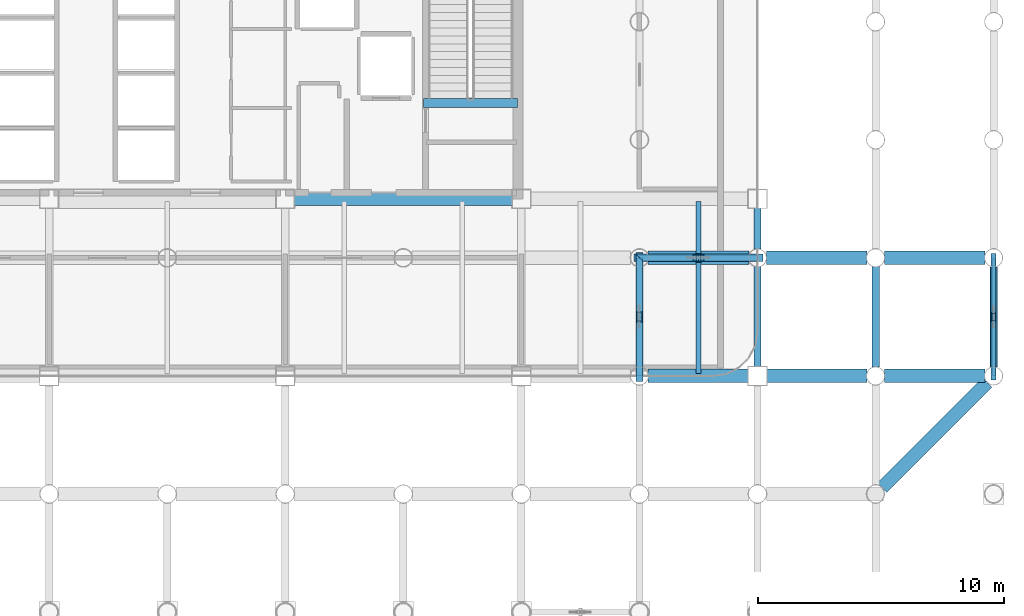
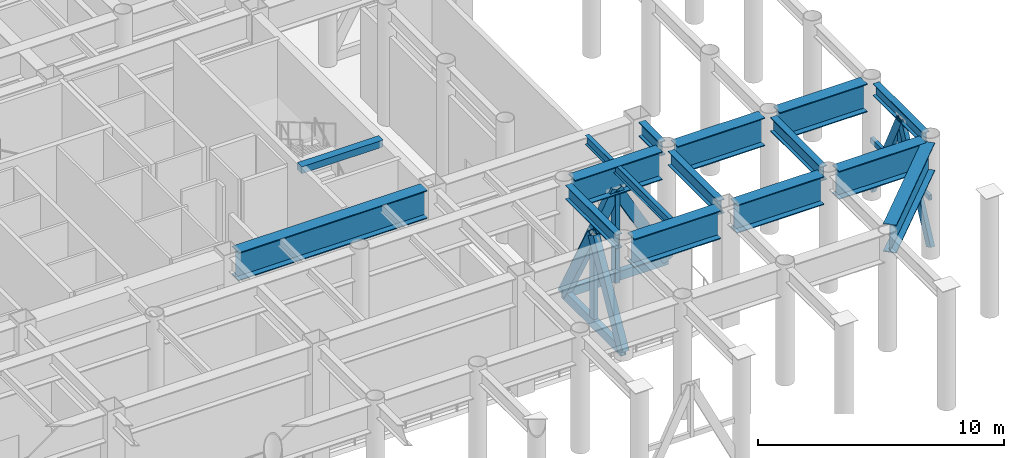
# One storey, part 6 of 19: 15 beams, 12 members.
"""IFC4 building model written with IfcOpenShell, lengths in metres."""

import ifcopenshell
import ifcopenshell.guid

model = None  # the IFC model being written
_history = None  # IfcOwnerHistory: only IFC2X3 demands one
_inside = {}  # id of a spatial element -> (the spatial element, [elements in it])
_under = {}  # id of a project, library or spatial element -> (it, [spatial elements below it])
_declared = {}  # id of a project -> (the project, [libraries it declares])
_typed = {}  # id of a type object -> (the type object, [elements of that type])
_made_of = {}  # id of a material, layer set ... -> (it, [elements and type objects made of it])


def new_model(schema):
    """Start an empty IFC model of exactly this schema.

    Asked for "IFC4X3", IfcOpenShell would pick the latest addendum, in which some entities
    have other attributes; the version numbers below select the first issue.
    IFC2X3 requires an IfcOwnerHistory on every rooted entity: one is made here for all.
    """
    global model, _history
    if schema == "IFC4X3":
        model = ifcopenshell.file(schema_version=(4, 3, 0, 0))
    else:
        model = ifcopenshell.file(schema=schema)
    _inside.clear()
    _under.clear()
    _declared.clear()
    _typed.clear()
    _made_of.clear()
    _history = None
    if model.schema == "IFC2X3":
        org = make("IfcOrganization", Name="unknown")
        user = make(
            "IfcPersonAndOrganization",
            ThePerson=make("IfcPerson", FamilyName="unknown"),
            TheOrganization=org,
        )
        app = make(
            "IfcApplication",
            ApplicationDeveloper=org,
            Version="unknown",
            ApplicationFullName="unknown",
            ApplicationIdentifier="unknown",
        )
        _history = make(
            "IfcOwnerHistory",
            OwningUser=user,
            OwningApplication=app,
            ChangeAction="ADDED",
            CreationDate=0,
        )
    return model


def make(cls, **values):
    """One entity of the class cls with the attributes given. An attribute that is None is left unset."""
    return model.create_entity(
        cls, **{name: value for name, value in values.items() if value is not None}
    )


def rooted(cls, **values):
    """An entity with a GlobalId (a new one), such as an element, a storey or a relation."""
    return make(cls, GlobalId=ifcopenshell.guid.new(), OwnerHistory=_history, **values)


def si_unit(unit_type, name, prefix=None):
    """IfcSIUnit, for example si_unit("LENGTHUNIT", "METRE", prefix="MILLI")."""
    return make("IfcSIUnit", UnitType=unit_type, Prefix=prefix, Name=name)


def assignment(units):
    """IfcUnitAssignment: the units of a project."""
    return None if units is None else make("IfcUnitAssignment", Units=units)


def point(xyz):
    """IfcCartesianPoint."""
    return None if xyz is None else make("IfcCartesianPoint", Coordinates=xyz)


def direction(xyz):
    """IfcDirection."""
    return None if xyz is None else make("IfcDirection", DirectionRatios=xyz)


def frame(location, z_axis=None, x_axis=None):
    """IfcAxis2Placement3D, a coordinate frame: its origin and axes. An axis left out is left unset."""
    return make(
        "IfcAxis2Placement3D",
        Location=point(location),
        Axis=direction(z_axis),
        RefDirection=direction(x_axis),
    )


def frame_2d(location, x_axis=None):
    """IfcAxis2Placement2D, a coordinate frame in the plane: its origin and x axis."""
    return make(
        "IfcAxis2Placement2D", Location=point(location), RefDirection=direction(x_axis)
    )


def origin():
    """The frame at (0, 0, 0) with its axes left unset."""
    return frame((0.0, 0.0, 0.0))


def origin_2d():
    """The frame at (0, 0) in the plane with its x axis left unset."""
    return frame_2d((0.0, 0.0))


def place(relative_to, where):
    """IfcLocalPlacement: puts the frame where relative to a parent placement (None: the world)."""
    return make(
        "IfcLocalPlacement", PlacementRelTo=relative_to, RelativePlacement=where
    )


def context(
    kind, dimensions, precision=None, world=None, true_north=None, identifier=None
):
    """IfcGeometricRepresentationContext, for example the 3D "Model" context."""
    return make(
        "IfcGeometricRepresentationContext",
        ContextIdentifier=identifier,
        ContextType=kind,
        CoordinateSpaceDimension=dimensions,
        Precision=precision,
        WorldCoordinateSystem=world,
        TrueNorth=true_north,
    )


def subcontext(parent, identifier, kind, view, scale=None):
    """IfcGeometricRepresentationSubContext, for example "Body" below "Model"."""
    return make(
        "IfcGeometricRepresentationSubContext",
        ContextIdentifier=identifier,
        ContextType=kind,
        ParentContext=parent,
        TargetScale=scale,
        TargetView=view,
    )


def project(units=None, contexts=None):
    """IfcProject with its units and contexts."""
    return rooted(
        "IfcProject",
        Name="project",
        RepresentationContexts=contexts,
        UnitsInContext=assignment(units),
    )


def spatial(cls, under=None, at=None, **own):
    """A site, building, storey or space (cls), placed at a placement, below another one or the project."""
    s = rooted(cls, ObjectPlacement=at, **own)
    if under is not None:
        _under.setdefault(under.id(), (under, []))[1].append(s)
    return s


def profile(cls, at=None, kind="AREA", **sizes):
    """A parametric profile (cls). Its sizes go by their IFC names, for example OverallWidth=200.0."""
    return make(cls, ProfileType=kind, Position=at, **sizes)


def rectangle(**sizes):
    """IfcRectangleProfileDef."""
    return profile("IfcRectangleProfileDef", **sizes)


def hollow_rectangle(**sizes):
    """IfcRectangleHollowProfileDef."""
    return profile("IfcRectangleHollowProfileDef", **sizes)


def i_section(**sizes):
    """IfcIShapeProfileDef."""
    return profile("IfcIShapeProfileDef", **sizes)


def extrude(swept, where, along, depth):
    """IfcExtrudedAreaSolid: the profile swept, set in the frame where, extruded along a direction by depth."""
    return make(
        "IfcExtrudedAreaSolid",
        SweptArea=swept,
        Position=where,
        ExtrudedDirection=direction(along),
        Depth=depth,
    )


def shape(context_of_items, identifier, shape_type, items):
    """IfcShapeRepresentation: the items that make up one representation, for example the "Body"."""
    return make(
        "IfcShapeRepresentation",
        ContextOfItems=context_of_items,
        RepresentationIdentifier=identifier,
        RepresentationType=shape_type,
        Items=items,
    )


def material(Name=None, Category=None):
    """IfcMaterial."""
    return make("IfcMaterial", Name=Name, Category=Category)


def material_profile(
    of_material, cross_section, Name=None, Category=None, Priority=None
):
    """IfcMaterialProfile: a cross section and its material."""
    return make(
        "IfcMaterialProfile",
        Name=Name,
        Material=of_material,
        Profile=cross_section,
        Priority=Priority,
        Category=Category,
    )


def profile_set(profiles, Name=None, composite=None):
    """IfcMaterialProfileSet."""
    return make(
        "IfcMaterialProfileSet",
        Name=Name,
        MaterialProfiles=profiles,
        CompositeProfile=composite,
    )


def made_of(thing, what):
    """Note that an element or type object is made of a material, layer set ...; save() writes the relation."""
    if what is not None:
        _made_of.setdefault(what.id(), (what, []))[1].append(thing)
    return thing


def type_object(cls, material=None, **own):
    """A type object (cls), such as IfcWallType, which elements share."""
    return made_of(rooted(cls, **own), material)


def element(
    cls,
    number,
    at=None,
    inside=None,
    cuts=None,
    type_object=None,
    material=None,
    context=None,
    identifier="Body",
    shape_type=None,
    held_by="IfcProductDefinitionShape",
    body=None,
    shapes=None,
    **own,
):
    """One element of the class cls, such as IfcWall. Its Tag is "e" and its number.

    at: its placement. inside: the storey or other place that contains it. cuts: it is an
    opening in that element (IfcRelVoidsElement). A single representation is given by context,
    identifier, shape_type and body (its items); several are given by shapes. held_by: the class
    of the entity that holds the representations. save() writes the other relations.
    """
    e = rooted(cls, Tag="e%d" % number, ObjectPlacement=at, **own)
    if body is not None:
        shapes = [shape(context, identifier, shape_type, body)]
    if shapes is not None:
        e.Representation = make(held_by, Representations=shapes)
    if inside is not None:
        _inside.setdefault(inside.id(), (inside, []))[1].append(e)
    if cuts is not None:
        rooted(
            "IfcRelVoidsElement", RelatingBuildingElement=cuts, RelatedOpeningElement=e
        )
    if type_object is not None:
        _typed.setdefault(type_object.id(), (type_object, []))[1].append(e)
    return made_of(e, material)


def aggregate(whole, parts):
    """IfcRelAggregates: a whole, such as a stair, and the parts it consists of."""
    return rooted("IfcRelAggregates", RelatingObject=whole, RelatedObjects=parts)


def save(model, path):
    """Write the relations noted so far, then the file.

    IfcRelAggregates (storeys below a building ...), IfcRelContainedInSpatialStructure (elements
    in a storey), IfcRelDefinesByType, IfcRelAssociatesMaterial and IfcRelDeclares: one each for
    every whole, place, type object, material and project.
    """
    for whole, parts in _under.values():
        aggregate(whole, parts)
    for where, things in _inside.values():
        rooted(
            "IfcRelContainedInSpatialStructure",
            RelatedElements=things,
            RelatingStructure=where,
        )
    for kind, things in _typed.values():
        rooted("IfcRelDefinesByType", RelatedObjects=things, RelatingType=kind)
    for what, things in _made_of.values():
        rooted("IfcRelAssociatesMaterial", RelatedObjects=things, RelatingMaterial=what)
    for by, libraries in _declared.values():
        rooted("IfcRelDeclares", RelatingContext=by, RelatedDefinitions=libraries)
    model.write(path)


model = new_model("IFC4")

# Units and contexts
model_context = context("Model", 3, precision=1e-05, world=origin(), true_north=direction((0.0, 1.0)))
body_context = subcontext(model_context, "Body", "Model", "MODEL_VIEW")
ifc_project = project(units=[si_unit("LENGTHUNIT", "METRE"), si_unit("AREAUNIT", "SQUARE_METRE"), si_unit("VOLUMEUNIT", "CUBIC_METRE"), si_unit("PLANEANGLEUNIT", "RADIAN"), si_unit("MASSUNIT", "GRAM", prefix="KILO")], contexts=[model_context])

# Site, building, storey
site_placement = place(None, origin())
site = spatial("IfcSite", under=ifc_project, at=site_placement, CompositionType="ELEMENT")
building_placement = place(site_placement, origin())
building = spatial("IfcBuilding", under=site, at=building_placement, Name="Kallvorn Hotel Tower", CompositionType="ELEMENT")
storey_placement = place(building_placement, frame((0.0, 0.0, 89.199951171875)))
storey = spatial("IfcBuildingStorey", under=building, at=storey_placement, Name="L21", CompositionType="ELEMENT", Elevation=89.199951171875)

# Beams
ifc_material_1 = material(Name="Structural steel S355JR", Category="steel")
ifc_material_profile_1 = material_profile(ifc_material_1, i_section(OverallWidth=0.300048828125, OverallDepth=0.60009765625, WebThickness=0.015380859375, FlangeThickness=0.030029296875, at=origin_2d()), Name="HE 600 B")
ifc_profile_set_1 = profile_set([ifc_material_profile_1], Name="Structural steel S355JR")
beam_type_1 = type_object("IfcBeamType", Name="BM_HE600B", PredefinedType="SPANDREL", material=ifc_profile_set_1)
beam_1_placement = place(storey_placement, frame((33.60009765625, -14.029052734375, 5.52001953125), z_axis=(0.0, 1.0, 0.0), x_axis=(-1.0, 0.0, 0.0)))
element("IfcBeam", 1, at=beam_1_placement, inside=storey, type_object=beam_type_1, Name="L22 Perimeter Spandrel 195", PredefinedType="SPANDREL", context=body_context, shape_type="SweptSolid", body=[
    extrude(i_section(OverallWidth=0.300048828125, OverallDepth=0.60009765625, WebThickness=0.015380859375, FlangeThickness=0.030029296875, at=origin_2d()), origin(), (0.0, 0.0, 1.0), 4.05810546875),
])
ifc_material_2 = material(Name="Structural steel S355JR", Category="steel")
ifc_material_profile_2 = material_profile(ifc_material_2, i_section(OverallWidth=0.300048828125, OverallDepth=0.699951171875, WebThickness=0.01708984375, FlangeThickness=0.031982421875, at=origin_2d()), Name="HE 700 B")
ifc_profile_set_2 = profile_set([ifc_material_profile_2], Name="Structural steel S355JR")
beam_type_2 = type_object("IfcBeamType", Name="BM_HE700B", PredefinedType="BEAM", material=ifc_profile_set_2)
beam_2_placement = place(storey_placement, frame((19.199951171875, -14.0439453125, 5.469970703125), z_axis=(0.0, 1.0, 0.0), x_axis=(-1.0, 0.0, 0.0)))
element("IfcBeam", 2, at=beam_2_placement, inside=storey, type_object=beam_type_2, Name="L22 Primary Y-Girder 141", PredefinedType="BEAM", context=body_context, shape_type="SweptSolid", body=[
    extrude(i_section(OverallWidth=0.300048828125, OverallDepth=0.699951171875, WebThickness=0.01708984375, FlangeThickness=0.031982421875, at=origin_2d()), origin(), (0.0, 0.0, 1.0), 4.087890625),
])
beam_3_placement = place(storey_placement, frame((24.0, -14.02490234375, 5.469970703125), z_axis=(0.0, 1.0, 0.0), x_axis=(-1.0, 0.0, 0.0)))
element("IfcBeam", 3, at=beam_3_placement, inside=storey, type_object=beam_type_2, Name="L22 Primary Y-Girder 150", PredefinedType="BEAM", context=body_context, shape_type="SweptSolid", body=[
    extrude(i_section(OverallWidth=0.300048828125, OverallDepth=0.699951171875, WebThickness=0.01708984375, FlangeThickness=0.031982421875, at=origin_2d()), origin(), (0.0, 0.0, 1.0), 4.06884765625),
])
beam_4_placement = place(storey_placement, frame((24.0, -9.243896484375, 5.469970703125), z_axis=(0.0, 1.0, 0.0), x_axis=(-1.0, 0.0, 0.0)))
element("IfcBeam", 4, at=beam_4_placement, inside=storey, type_object=beam_type_2, Name="L22 Primary Y-Girder 151", PredefinedType="BEAM", context=body_context, shape_type="SweptSolid", body=[
    extrude(i_section(OverallWidth=0.300048828125, OverallDepth=0.699951171875, WebThickness=0.01708984375, FlangeThickness=0.031982421875, at=origin_2d()), origin(), (0.0, 0.0, 1.0), 1.6689453125),
])
beam_5_placement = place(storey_placement, frame((28.800048828125, -14.0439453125, 5.469970703125), z_axis=(0.0, 1.0, 0.0), x_axis=(-1.0, 0.0, 0.0)))
element("IfcBeam", 5, at=beam_5_placement, inside=storey, type_object=beam_type_2, Name="L22 Primary Y-Girder 157", PredefinedType="BEAM", context=body_context, shape_type="SweptSolid", body=[
    extrude(i_section(OverallWidth=0.300048828125, OverallDepth=0.699951171875, WebThickness=0.01708984375, FlangeThickness=0.031982421875, at=origin_2d()), origin(), (0.0, 0.0, 1.0), 4.087890625),
])
ifc_material_3 = material(Name="Structural steel S355JR", Category="steel")
ifc_material_profile_3 = material_profile(ifc_material_3, i_section(OverallWidth=0.18994140625, OverallDepth=0.449951171875, WebThickness=0.009521484375, FlangeThickness=0.0146484375, at=origin_2d()), Name="IPE 450")
ifc_profile_set_3 = profile_set([ifc_material_profile_3], Name="Structural steel S355JR")
beam_type_3 = type_object("IfcBeamType", Name="BM_IPE450", PredefinedType="JOIST", material=ifc_profile_set_3)
beam_6_placement = place(storey_placement, frame((21.60009765625, -14.300048828125, 5.594970703125), z_axis=(0.0, 1.0, 0.0), x_axis=(-1.0, 0.0, 0.0)))
element("IfcBeam", 6, at=beam_6_placement, inside=storey, type_object=beam_type_3, Name="L22 Secondary Composite Joist 221", PredefinedType="JOIST", context=body_context, shape_type="SweptSolid", body=[
    extrude(i_section(OverallWidth=0.18994140625, OverallDepth=0.449951171875, WebThickness=0.009521484375, FlangeThickness=0.0146484375, at=origin_2d()), origin(), (0.0, 0.0, 1.0), 7.0),
])
ifc_material_4 = material(Name="Structural steel S355JR", Category="steel")
ifc_material_profile_4 = material_profile(ifc_material_4, i_section(OverallWidth=0.550048828125, OverallDepth=1.39990234375, WebThickness=0.02490234375, FlangeThickness=0.044921875, at=origin_2d()), Name="PG 1400x550x25x45")
ifc_profile_set_4 = profile_set([ifc_material_profile_4], Name="Structural steel S355JR")
beam_type_4 = type_object("IfcBeamType", Name="BM_PG_1400", PredefinedType="BEAM", material=ifc_profile_set_4)
for number, where, z_axis, x_axis, name in (
    (7, (19.555908203125, -14.39990234375, 5.1201171875), (1.0, 0.0, 0.0), (0.0, 1.0, 0.0), "L22 Primary X-Girder 34"),
    (8, (24.375, -14.39990234375, 5.1201171875), (1.0, 0.0, 0.0), (0.0, 1.0, 0.0), "L22 Primary X-Girder 35"),
):
    element("IfcBeam", number, at=place(storey_placement, frame(where, z_axis=z_axis, x_axis=x_axis)), inside=storey, type_object=beam_type_4, Name=name, PredefinedType="BEAM", context=body_context, shape_type="SweptSolid", body=[
        extrude(i_section(OverallWidth=0.550048828125, OverallDepth=1.39990234375, WebThickness=0.02490234375, FlangeThickness=0.044921875, at=origin_2d()), origin(), (0.0, 0.0, 1.0), 4.069091796875),
    ])
beam_7_placement = place(storey_placement, frame((29.156005859375, -14.39990234375, 5.1201171875), z_axis=(1.0, 0.0, 0.0), x_axis=(0.0, 1.0, 0.0)))
element("IfcBeam", 9, at=beam_7_placement, inside=storey, type_object=beam_type_4, Name="L22 Primary X-Girder 36", PredefinedType="BEAM", context=body_context, shape_type="SweptSolid", body=[
    extrude(i_section(OverallWidth=0.550048828125, OverallDepth=1.39990234375, WebThickness=0.02490234375, FlangeThickness=0.044921875, at=origin_2d()), origin(), (0.0, 0.0, 1.0), 4.087890625),
])
for number, where, z_axis, x_axis, name in (
    (10, (19.555908203125, -9.60009765625, 5.1201171875), (1.0, 0.0, 0.0), (0.0, 1.0, 0.0), "L22 Primary X-Girder 43"),
    (11, (24.35595703125, -9.60009765625, 5.1201171875), (1.0, 0.0, 0.0), (0.0, 1.0, 0.0), "L22 Primary X-Girder 44"),
):
    element("IfcBeam", number, at=place(storey_placement, frame(where, z_axis=z_axis, x_axis=x_axis)), inside=storey, type_object=beam_type_4, Name=name, PredefinedType="BEAM", context=body_context, shape_type="SweptSolid", body=[
        extrude(i_section(OverallWidth=0.550048828125, OverallDepth=1.39990234375, WebThickness=0.02490234375, FlangeThickness=0.044921875, at=origin_2d()), origin(), (0.0, 0.0, 1.0), 4.088134765625),
    ])
beam_8_placement = place(storey_placement, frame((29.156005859375, -9.60009765625, 5.1201171875), z_axis=(1.0, 0.0, 0.0), x_axis=(0.0, 1.0, 0.0)))
element("IfcBeam", 12, at=beam_8_placement, inside=storey, type_object=beam_type_4, Name="L22 Primary X-Girder 45", PredefinedType="BEAM", context=body_context, shape_type="SweptSolid", body=[
    extrude(i_section(OverallWidth=0.550048828125, OverallDepth=1.39990234375, WebThickness=0.02490234375, FlangeThickness=0.044921875, at=origin_2d()), origin(), (0.0, 0.0, 1.0), 4.087890625),
])
beam_9_placement = place(storey_placement, frame((5.175048828125, -7.199951171875, 5.1201171875), z_axis=(1.0, 0.0, 0.0), x_axis=(0.0, 1.0, 0.0)))
element("IfcBeam", 13, at=beam_9_placement, inside=storey, type_object=beam_type_4, Name="L22 Primary X-Girder 48", PredefinedType="BEAM", context=body_context, shape_type="SweptSolid", body=[
    extrude(i_section(OverallWidth=0.550048828125, OverallDepth=1.39990234375, WebThickness=0.02490234375, FlangeThickness=0.044921875, at=origin_2d()), origin(), (0.0, 0.0, 1.0), 8.849853515625),
])
beam_10_placement = place(storey_placement, frame((33.337646484375, -14.662353515625, 5.1201171875), z_axis=(-0.707106781187, -0.707106781187, 0.0), x_axis=(0.707106781187, -0.707106781187, 0.0)))
element("IfcBeam", 14, at=beam_10_placement, inside=storey, type_object=beam_type_4, Name="L22 Rounded Corner Tie Beam 203", PredefinedType="BEAM", context=body_context, shape_type="SweptSolid", body=[
    extrude(i_section(OverallWidth=0.550048828125, OverallDepth=1.39990234375, WebThickness=0.02490234375, FlangeThickness=0.044921875, at=origin_2d()), origin(), (0.0, 0.0, 1.0), 6.04638671875),
])
ifc_material_5 = material(Name="Concrete C50/60", Category="concrete")
ifc_material_profile_5 = material_profile(ifc_material_5, rectangle(XDim=0.360107421875, YDim=0.340087890625, at=origin_2d()), Name="RC 360x340")
ifc_profile_set_5 = profile_set([ifc_material_profile_5], Name="Concrete C50/60")
beam_type_5 = type_object("IfcBeamType", Name="BM_RC_400x360", PredefinedType="BEAM", material=ifc_profile_set_5)
beam_11_placement = place(storey_placement, frame((14.239990234375, -3.31005859375, 5.650146484375), z_axis=(-1.0, 0.0, 0.0), x_axis=(0.0, -1.0, 0.0)))
element("IfcBeam", 15, at=beam_11_placement, inside=storey, type_object=beam_type_5, Name="L22 Stair ST2 Arrival Trimmer Beam", PredefinedType="BEAM", context=body_context, shape_type="SweptSolid", body=[
    extrude(rectangle(XDim=0.360107421875, YDim=0.340087890625, at=origin_2d()), origin(), (0.0, 0.0, 1.0), 3.820068359375),
])

# Members
ifc_material_6 = material(Name="Structural steel S355J2H", Category="steel")
ifc_material_profile_6 = material_profile(ifc_material_6, hollow_rectangle(XDim=0.199951171875, YDim=0.39990234375, WallThickness=0.02001953125, at=origin_2d()), Name="RHS 400x200x20")
ifc_profile_set_6 = profile_set([ifc_material_profile_6], Name="Structural steel S355J2H")
member_type_1 = type_object("IfcMemberType", Name="MBR_BELT_RHS400", PredefinedType="BRACE", material=ifc_profile_set_6)
for number, where, z_axis, x_axis, name in (
    (16, (33.60009765625, -14.39111328125, 0.3681640625), (0.0, 0.439148786384, 0.898414349517), (-1.0, 0.0, 0.0), "L21 Belt Truss Diagonal 7A"),
    (17, (33.60009765625, -9.60888671875, 0.3681640625), (0.0, -0.439148786384, 0.898414349517), (1.0, 0.0, 0.0), "L21 Belt Truss Diagonal 7B"),
):
    element("IfcMember", number, at=place(storey_placement, frame(where, z_axis=z_axis, x_axis=x_axis)), inside=storey, type_object=member_type_1, Name=name, PredefinedType="BRACE", context=body_context, shape_type="SweptSolid", body=[
        extrude(hollow_rectangle(XDim=0.199951171875, YDim=0.39990234375, WallThickness=0.02001953125, at=origin_2d()), origin(), (0.0, 0.0, 1.0), 5.4248046875),
    ])
ifc_material_7 = material(Name="Structural steel S355J2H", Category="steel")
ifc_material_profile_7 = material_profile(ifc_material_7, hollow_rectangle(XDim=0.25, YDim=0.449951171875, WallThickness=0.02197265625, at=origin_2d()), Name="RHS 450x250x22")
ifc_profile_set_7 = profile_set([ifc_material_profile_7], Name="Structural steel S355J2H")
member_type_2 = type_object("IfcMemberType", Name="MBR_CHORD_RHS450", PredefinedType="CHORD", material=ifc_profile_set_7)
member_1_placement = place(storey_placement, frame((19.199951171875, -9.60009765625, 0.239990234375), z_axis=(1.0, 0.0, 0.0), x_axis=(0.0, 1.0, 0.0)))
element("IfcMember", 18, at=member_1_placement, inside=storey, type_object=member_type_2, Name="L21 Outrigger Truss Bottom Chord OTE1", PredefinedType="CHORD", context=body_context, shape_type="SweptSolid", body=[
    extrude(hollow_rectangle(XDim=0.25, YDim=0.449951171875, WallThickness=0.02197265625, at=origin_2d()), origin(), (0.0, 0.0, 1.0), 4.800048828125),
])
member_2_placement = place(storey_placement, frame((19.199951171875, -14.39990234375, 0.239990234375), z_axis=(0.0, 1.0, 0.0), x_axis=(-1.0, 0.0, 0.0)))
element("IfcMember", 19, at=member_2_placement, inside=storey, type_object=member_type_2, Name="L21 Outrigger Truss Bottom Chord OTS2", PredefinedType="CHORD", context=body_context, shape_type="SweptSolid", body=[
    extrude(hollow_rectangle(XDim=0.25, YDim=0.449951171875, WallThickness=0.02197265625, at=origin_2d()), origin(), (0.0, 0.0, 1.0), 4.7998046875),
])
ifc_material_8 = material(Name="Structural steel S355J2H", Category="steel")
ifc_material_profile_8 = material_profile(ifc_material_8, hollow_rectangle(XDim=0.14990234375, YDim=0.25, WallThickness=0.010009765625, at=origin_2d()), Name="RHS 250x150x10")
ifc_profile_set_8 = profile_set([ifc_material_profile_8], Name="Structural steel S355J2H")
member_type_3 = type_object("IfcMemberType", Name="MBR_COLLAR_RHS250", PredefinedType="COLLAR", material=ifc_profile_set_8)
member_3_placement = place(storey_placement, frame((33.60009765625, -14.3798828125, 2.78515625), z_axis=(0.0, 1.0, 0.0), x_axis=(-1.0, 0.0, 0.0)))
element("IfcMember", 20, at=member_3_placement, inside=storey, type_object=member_type_3, Name="L21 Belt Truss Tie Collar 7", PredefinedType="COLLAR", context=body_context, shape_type="SweptSolid", body=[
    extrude(hollow_rectangle(XDim=0.14990234375, YDim=0.25, WallThickness=0.010009765625, at=origin_2d()), origin(), (0.0, 0.0, 1.0), 4.759765625),
])
ifc_material_9 = material(Name="Structural steel S355J2H", Category="steel")
ifc_material_profile_9 = material_profile(ifc_material_9, hollow_rectangle(XDim=0.300048828125, YDim=0.5, WallThickness=0.02490234375, at=origin_2d()), Name="RHS 500x300x25")
ifc_profile_set_9 = profile_set([ifc_material_profile_9], Name="Structural steel S355J2H")
member_type_4 = type_object("IfcMemberType", Name="MBR_OUTRIGGER_RHS500", PredefinedType="BRACE", material=ifc_profile_set_9)
member_4_placement = place(storey_placement, frame((19.199951171875, -9.60009765625, 0.239990234375), z_axis=(0.485659708735, 0.0, 0.874147955046), x_axis=(0.0, 1.0, 0.0)))
element("IfcMember", 21, at=member_4_placement, inside=storey, type_object=member_type_4, Name="L21 Outrigger Truss Diagonal OTE1A", PredefinedType="BRACE", context=body_context, shape_type="SweptSolid", body=[
    extrude(hollow_rectangle(XDim=0.300048828125, YDim=0.5, WallThickness=0.02490234375, at=origin_2d()), origin(), (0.0, 0.0, 1.0), 4.942138671875),
])
for number, where, z_axis, x_axis, name in (
    (22, (24.0, -9.60009765625, 0.239990234375), (-0.485621958479, 0.0, 0.874168927292), (0.0, -1.0, 0.0), "L21 Outrigger Truss Diagonal OTE1B"),
    (23, (19.199951171875, -14.39990234375, 0.239990234375), (0.0, 0.485621958479, 0.874168927292), (-1.0, 0.0, 0.0), "L21 Outrigger Truss Diagonal OTS2A"),
    (24, (19.199951171875, -9.60009765625, 0.239990234375), (0.0, -0.485621958479, 0.874168927292), (1.0, 0.0, 0.0), "L21 Outrigger Truss Diagonal OTS2B"),
):
    element("IfcMember", number, at=place(storey_placement, frame(where, z_axis=z_axis, x_axis=x_axis)), inside=storey, type_object=member_type_4, Name=name, PredefinedType="BRACE", context=body_context, shape_type="SweptSolid", body=[
        extrude(hollow_rectangle(XDim=0.300048828125, YDim=0.5, WallThickness=0.02490234375, at=origin_2d()), origin(), (0.0, 0.0, 1.0), 4.94189453125),
    ])
ifc_material_10 = material(Name="Structural steel S355J2H", Category="steel")
ifc_material_profile_10 = material_profile(ifc_material_10, hollow_rectangle(XDim=0.199951171875, YDim=0.35009765625, WallThickness=0.01611328125, at=origin_2d()), Name="RHS 350x200x16")
ifc_profile_set_10 = profile_set([ifc_material_profile_10], Name="Structural steel S355J2H")
member_type_5 = type_object("IfcMemberType", Name="MBR_POST_RHS350", PredefinedType="POST", material=ifc_profile_set_10)
for number, where, z_axis, x_axis, name in (
    (25, (21.60009765625, -9.60009765625, -0.0400390625), (0.0, 0.0, 1.0), (1.0, 0.0, 0.0), "L21 Outrigger Truss Post OTE1"),
    (26, (19.199951171875, -12.0, -0.0400390625), (0.0, 0.0, 1.0), (1.0, 0.0, 0.0), "L21 Outrigger Truss Post OTS2"),
):
    element("IfcMember", number, at=place(storey_placement, frame(where, z_axis=z_axis, x_axis=x_axis)), inside=storey, type_object=member_type_5, Name=name, PredefinedType="POST", context=body_context, shape_type="SweptSolid", body=[
        extrude(hollow_rectangle(XDim=0.199951171875, YDim=0.35009765625, WallThickness=0.01611328125, at=origin_2d()), origin(), (0.0, 0.0, 1.0), 4.5400390625),
    ])
ifc_material_11 = material(Name="Structural steel S355J2H", Category="steel")
ifc_material_profile_11 = material_profile(ifc_material_11, hollow_rectangle(XDim=0.14990234375, YDim=0.300048828125, WallThickness=0.012451171875, at=origin_2d()), Name="RHS 300x150x12.5")
ifc_profile_set_11 = profile_set([ifc_material_profile_11], Name="Structural steel S355J2H")
member_type_6 = type_object("IfcMemberType", Name="MBR_STRUT_RHS300", PredefinedType="STRUT", material=ifc_profile_set_11)
member_5_placement = place(storey_placement, frame((33.60009765625, -12.0, 2.735107421875), z_axis=(0.0, 0.0, 1.0), x_axis=(1.0, 0.0, 0.0)))
element("IfcMember", 27, at=member_5_placement, inside=storey, type_object=member_type_6, Name="L21 Belt Truss Strut 7", PredefinedType="STRUT", context=body_context, shape_type="SweptSolid", body=[
    extrude(hollow_rectangle(XDim=0.14990234375, YDim=0.300048828125, WallThickness=0.012451171875, at=origin_2d()), origin(), (0.0, 0.0, 1.0), 2.56494140625),
])

save(model, "model.ifc")
